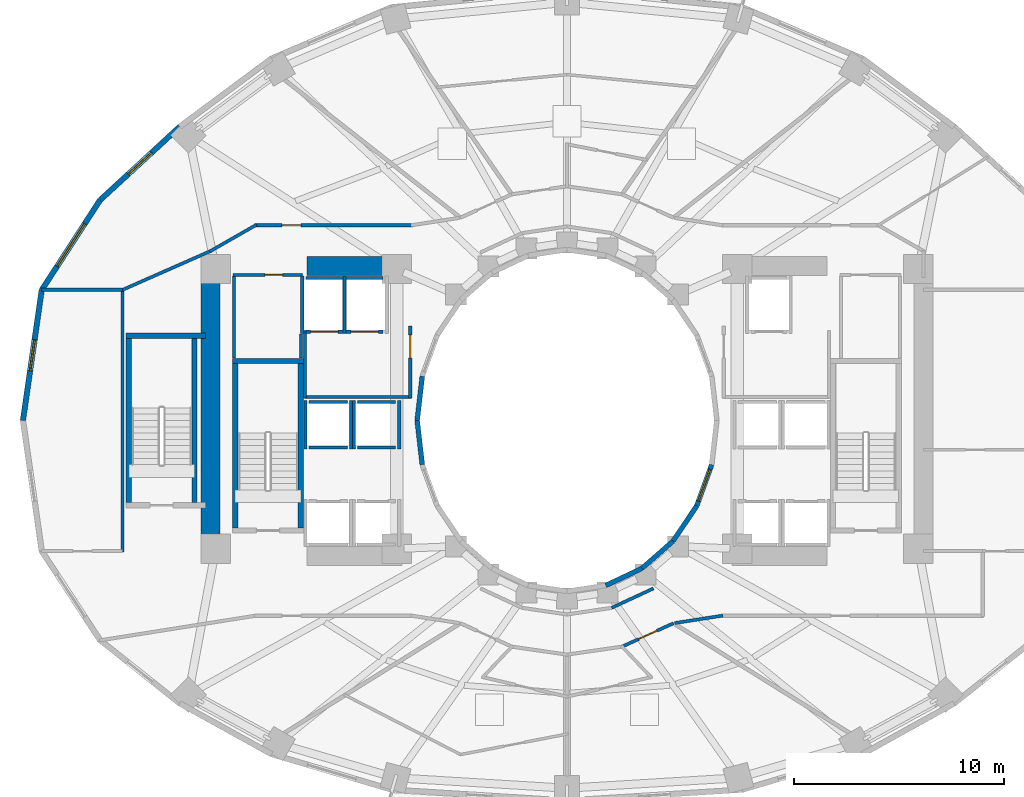
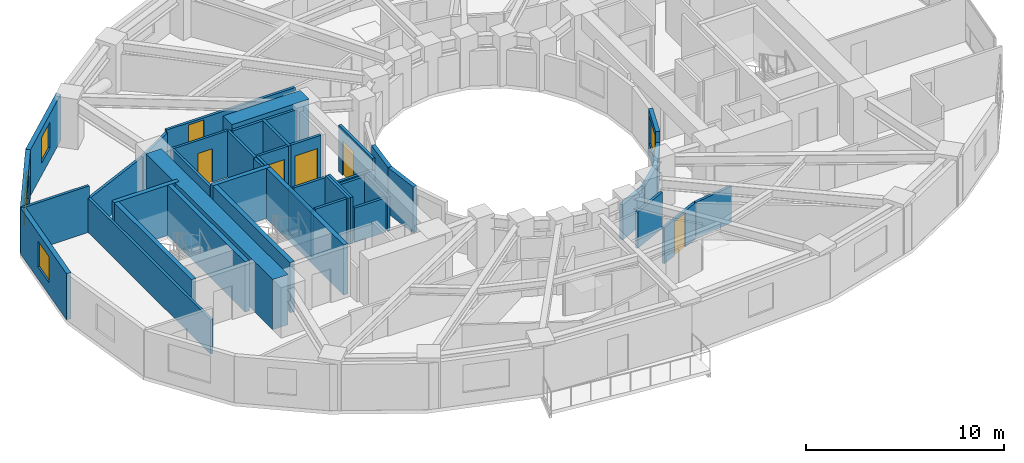
# One storey, part 8 of 14: 45 walls, 6 doors, 4 windows, 10 openings.
"""IFC4 building model written with IfcOpenShell, lengths in metres."""

from ifc_helpers import new_model, si_unit, direction, frame, frame_2d, origin, place, context, subcontext, project, spatial, rectangle, extrude, material, layer, layer_set, type_object, element, fill, save


model = new_model("IFC4")

# Units and contexts
model_context = context("Model", 3, precision=1e-05, world=origin(), true_north=direction((0.0, 1.0)))
body_context = subcontext(model_context, "Body", "Model", "MODEL_VIEW")
ifc_project = project(units=[si_unit("LENGTHUNIT", "METRE"), si_unit("AREAUNIT", "SQUARE_METRE"), si_unit("VOLUMEUNIT", "CUBIC_METRE"), si_unit("PLANEANGLEUNIT", "RADIAN"), si_unit("MASSUNIT", "GRAM", prefix="KILO")], contexts=[model_context])

# Site, building, storey
site_placement = place(None, origin())
site = spatial("IfcSite", under=ifc_project, at=site_placement, CompositionType="ELEMENT")
building_placement = place(site_placement, origin())
building = spatial("IfcBuilding", under=site, at=building_placement, Name="Solvane Sanctuary Tower", CompositionType="ELEMENT")
storey_placement = place(building_placement, frame((0.0, 0.0, 40.0)))
storey = spatial("IfcBuildingStorey", under=building, at=storey_placement, Name="L11", CompositionType="ELEMENT", Elevation=40.0)

# Walls
ifc_material_1 = material(Name="Concrete C70/85", Category="concrete")
ifc_layer_1 = layer(ifc_material_1, 0.89990234375, Name="Concrete C70/85")
ifc_layer_set_1 = layer_set([ifc_layer_1], Name="Concrete C70/85")
wall_type_1 = type_object("IfcWallType", Name="Wall W-CORE-900", PredefinedType="SHEAR", material=ifc_layer_set_1)
wall_1_placement = place(storey_placement, frame((15.050048828125, 17.050048828125, 0.0), z_axis=(0.0, 0.0, 1.0), x_axis=(0.0, 1.0, 0.0)))
element("IfcWall", 1, at=wall_1_placement, inside=storey, type_object=wall_type_1, Name="L11 Core Shear Wall WC-W", PredefinedType="SHEAR", context=body_context, shape_type="SweptSolid", body=[
    extrude(rectangle(XDim=12.800048828125, YDim=0.89990234375, at=frame_2d((6.39990234375, 0.0))), origin(), (0.0, 0.0, 1.0), 3.10009765625),
])
wall_2_placement = place(storey_placement, frame((19.64990234375, 30.35009765625, 0.0), z_axis=(0.0, 0.0, 1.0), x_axis=(1.0, 0.0, 0.0)))
element("IfcWall", 2, at=wall_2_placement, inside=storey, type_object=wall_type_1, Name="L11 Core Shear Wall WC-N", PredefinedType="SHEAR", context=body_context, shape_type="SweptSolid", body=[
    extrude(rectangle(XDim=4.5, YDim=0.89990234375, at=frame_2d((2.25, 0.0))), origin(), (0.0, 0.0, 1.0), 3.10009765625),
])
ifc_material_2 = material(Name="Acoustic Gypsum Partition Board")
ifc_layer_2 = layer(ifc_material_2, 0.14990234375, Name="Acoustic Gypsum Partition Board")
ifc_layer_set_2 = layer_set([ifc_layer_2], Name="Acoustic Gypsum Partition Board")
wall_type_2 = type_object("IfcWallType", Name="Wall W-CORR-150", PredefinedType="PARTITIONING", material=ifc_layer_set_2)
wall_3_placement = place(storey_placement, frame((19.52001953125, 24.1201171875, 0.0), z_axis=(0.0, 0.0, 1.0), x_axis=(1.0, 0.0, 0.0)))
element("IfcWall", 3, at=wall_3_placement, inside=storey, type_object=wall_type_2, Name="L11 West Firefighting Lobby South Wall", PredefinedType="PARTITIONING", context=body_context, shape_type="SweptSolid", body=[
    extrude(rectangle(XDim=5.080078125, YDim=0.14990234375, at=frame_2d((2.5400390625, 0.0))), origin(), (0.0, 0.0, 1.0), 2.1201171875),
])
wall_4_placement = place(storey_placement, frame((19.550048828125, 24.080078125, 0.0), z_axis=(0.0, 0.0, 1.0), x_axis=(0.0, 1.0, 0.0)))
element("IfcWall", 4, at=wall_4_placement, inside=storey, type_object=wall_type_2, Name="L11 West Firefighting Lobby West Wall", PredefinedType="PARTITIONING", context=body_context, shape_type="SweptSolid", body=[
    extrude(rectangle(XDim=3.199951171875, YDim=0.14990234375, at=frame_2d((1.60009765625, 0.0))), origin(), (0.0, 0.0, 1.0), 2.85498046875),
])

# Wall, opening, door
wall_5_placement = place(storey_placement, frame((24.550048828125, 24.080078125, 0.0), z_axis=(0.0, 0.0, 1.0), x_axis=(0.0, 1.0, 0.0)))
wall_5 = element("IfcWall", 5, at=wall_5_placement, inside=storey, type_object=wall_type_2, Name="L11 West Firefighting Lobby East Wall", PredefinedType="PARTITIONING", context=body_context, shape_type="SweptSolid", body=[
    extrude(rectangle(XDim=3.39990234375, YDim=0.14990234375, at=frame_2d((1.699951171875, 0.0))), origin(), (0.0, 0.0, 1.0), 2.85498046875),
])
opening_1_placement = place(wall_5_placement, frame((1.893798828125, 0.0, 0.0)))
opening_1 = element("IfcOpeningElement", 6, at=opening_1_placement, cuts=wall_5, Name="Opening D-L11-06", PredefinedType="OPENING", context=body_context, shape_type="SweptSolid", body=[
    extrude(rectangle(XDim=1.10009765625, YDim=2.10009765625, at=frame_2d((0.550048828125, 1.050048828125))), frame((0.0, 0.0849609375, 0.0), z_axis=(0.0, -1.0, 0.0), x_axis=(1.0, 0.0, 0.0)), (0.0, 0.0, 1.0), 0.169921875),
])
ifc_material_3 = material(Name="Architectural Stainless Steel 316", Category="steel")
door_type_1 = type_object("IfcDoorType", Name="Door D-FFL", OperationType="NOTDEFINED", PredefinedType="DOOR", material=ifc_material_3)
door_1_placement = place(opening_1_placement, origin())
door_1 = element("IfcDoor", 7, at=door_1_placement, inside=storey, type_object=door_type_1, Name="L11 West Firefighting Lobby Fire Door", OperationType="SINGLE_SWING_RIGHT", OverallHeight=2.10009765625, OverallWidth=1.10009765625, PredefinedType="DOOR", context=body_context, shape_type="SweptSolid", body=[
    extrude(rectangle(XDim=1.10009765625, YDim=2.10009765625, at=frame_2d((0.550048828125, 1.050048828125))), frame((0.0, 0.02490234375, 0.0), z_axis=(0.0, -1.0, 0.0), x_axis=(1.0, 0.0, 0.0)), (0.0, 0.0, 1.0), 0.050048828125),
])
fill(opening_1, door_1)

# Walls
wall_6_placement = place(storey_placement, frame((34.12744140625, 14.09423828125, 0.0), z_axis=(0.0, 0.0, 1.0), x_axis=(0.906943449489, 0.421252393975, 0.0)))
element("IfcWall", 8, at=wall_6_placement, inside=storey, type_object=wall_type_2, Name="L11 Light-Well Corridor Rim Wall S4", PredefinedType="PARTITIONING", context=body_context, shape_type="SweptSolid", body=[
    extrude(rectangle(XDim=2.18603515625, YDim=0.14990234375, at=frame_2d((1.093017578125, 0.0))), origin(), (0.0, 0.0, 1.0), 2.237060546875),
])
wall_7_placement = place(storey_placement, frame((10.8798828125, 16.748291015625, 0.0), z_axis=(0.0, 0.0, 1.0), x_axis=(0.0, 1.0, 0.0)))
element("IfcWall", 9, at=wall_7_placement, inside=storey, type_object=wall_type_2, Name="L11 West Shoulder Back Wall", PredefinedType="PARTITIONING", context=body_context, shape_type="SweptSolid", body=[
    extrude(rectangle(XDim=12.50341796875, YDim=0.14990234375, at=frame_2d((6.251708984375, 0.0))), origin(), (0.0, 0.0, 1.0), 2.1201171875),
])
wall_8_placement = place(storey_placement, frame((7.013671875, 29.211669921875, 0.0), z_axis=(0.0, 0.0, 1.0), x_axis=(1.0, 0.0, 0.0)))
element("IfcWall", 10, at=wall_8_placement, inside=storey, type_object=wall_type_2, Name="L11 West Shoulder North Wall", PredefinedType="PARTITIONING", context=body_context, shape_type="SweptSolid", body=[
    extrude(rectangle(XDim=3.8662109375, YDim=0.14990234375, at=frame_2d((1.93310546875, 0.0))), origin(), (0.0, 0.0, 1.0), 2.85498046875),
])
wall_9_placement = place(storey_placement, frame((10.843505859375, 29.195556640625, 0.0), z_axis=(0.0, 0.0, 1.0), x_axis=(0.91502756289, 0.403391322604, 0.0)))
element("IfcWall", 11, at=wall_9_placement, inside=storey, type_object=wall_type_2, Name="L11 NW Corner Closer 1", PredefinedType="PARTITIONING", context=body_context, shape_type="SweptSolid", body=[
    extrude(rectangle(XDim=4.63720703125, YDim=0.14990234375, at=frame_2d((2.318603515625, 0.0))), origin(), (0.0, 0.0, 1.0), 2.069091796875),
])

# Wall, opening, door
wall_10_placement = place(storey_placement, frame((17.14990234375, 32.280029296875, 0.0), z_axis=(0.0, 0.0, 1.0), x_axis=(1.0, 0.0, 0.0)))
wall_10 = element("IfcWall", 12, at=wall_10_placement, inside=storey, type_object=wall_type_2, Name="L11 NW Corner Corridor Wall", PredefinedType="PARTITIONING", context=body_context, shape_type="SweptSolid", body=[
    extrude(rectangle(XDim=7.52001953125, YDim=0.14990234375, at=frame_2d((3.760009765625, 0.0))), origin(), (0.0, 0.0, 1.0), 2.237060546875),
])
opening_2_placement = place(wall_10_placement, frame((1.300048828125, 0.0, 0.0)))
opening_2 = element("IfcOpeningElement", 13, at=opening_2_placement, cuts=wall_10, Name="Opening D-L11-15", PredefinedType="OPENING", context=body_context, shape_type="SweptSolid", body=[
    extrude(rectangle(XDim=0.89990234375, YDim=2.10009765625, at=frame_2d((0.449951171875, 1.050048828125))), frame((0.0, 0.0849609375, 0.0), z_axis=(0.0, -1.0, 0.0), x_axis=(1.0, 0.0, 0.0)), (0.0, 0.0, 1.0), 0.169921875),
])
ifc_material_4 = material(Name="Engineered Tropical Hardwood", Category="wood")
door_type_2 = type_object("IfcDoorType", Name="Door D-WET-900", OperationType="NOTDEFINED", PredefinedType="DOOR", material=ifc_material_4)
door_2_placement = place(opening_2_placement, origin())
door_2 = element("IfcDoor", 14, at=door_2_placement, inside=storey, type_object=door_type_2, Name="L11 NW Corner Salon Door", OperationType="SINGLE_SWING_LEFT", OverallHeight=2.10009765625, OverallWidth=0.89990234375, PredefinedType="DOOR", context=body_context, shape_type="SweptSolid", body=[
    extrude(rectangle(XDim=0.89990234375, YDim=2.10009765625, at=frame_2d((0.449951171875, 1.050048828125))), frame((0.0, 0.02490234375, 0.0), z_axis=(0.0, -1.0, 0.0), x_axis=(1.0, 0.0, 0.0)), (0.0, 0.0, 1.0), 0.050048828125),
])
fill(opening_2, door_2)

# Walls
wall_11_placement = place(storey_placement, frame((17.243408203125, 32.3046875, 0.0), z_axis=(0.0, 0.0, 1.0), x_axis=(-0.867991349648, -0.496579315857, 0.0)))
element("IfcWall", 15, at=wall_11_placement, inside=storey, type_object=wall_type_2, Name="L11 NW Corner Wing Wall", PredefinedType="PARTITIONING", context=body_context, shape_type="SweptSolid", body=[
    extrude(rectangle(XDim=2.56689453125, YDim=0.14990234375, at=frame_2d((1.283447265625, 0.0))), origin(), (0.0, 0.0, 1.0), 2.069091796875),
])
wall_12_placement = place(storey_placement, frame((37.119384765625, 13.369384765625, 0.0), z_axis=(0.0, 0.0, 1.0), x_axis=(0.988184633586, 0.153268163508, 0.0)))
element("IfcWall", 16, at=wall_12_placement, inside=storey, type_object=wall_type_2, Name="L11 SE Corner Throat Wall", PredefinedType="PARTITIONING", context=body_context, shape_type="SweptSolid", body=[
    extrude(rectangle(XDim=2.317626953125, YDim=0.14990234375, at=frame_2d((1.15869140625, 0.0))), origin(), (0.0, 0.0, 1.0), 2.237060546875),
])

# Wall, opening, door
wall_13_placement = place(storey_placement, frame((34.614990234375, 12.247314453125, 0.0), z_axis=(0.0, 0.0, 1.0), x_axis=(0.910186679378, 0.414198272186, 0.0)))
wall_13 = element("IfcWall", 17, at=wall_13_placement, inside=storey, type_object=wall_type_2, Name="L11 Unit Corridor Wall S2", PredefinedType="PARTITIONING", context=body_context, shape_type="SweptSolid", body=[
    extrude(rectangle(XDim=2.698486328125, YDim=0.14990234375, at=frame_2d((1.34912109375, 0.0))), origin(), (0.0, 0.0, 1.0), 2.237060546875),
])
opening_3_placement = place(wall_13_placement, frame((0.874267578125, 0.0, 0.0)))
opening_3 = element("IfcOpeningElement", 18, at=opening_3_placement, cuts=wall_13, Name="Opening D-L11-27", PredefinedType="OPENING", context=body_context, shape_type="SweptSolid", body=[
    extrude(rectangle(XDim=0.949951171875, YDim=2.10009765625, at=frame_2d((0.47509765625, 1.050048828125))), frame((0.0, 0.0849609375, 0.0), z_axis=(0.0, -1.0, 0.0), x_axis=(1.0, 0.0, 0.0)), (0.0, 0.0, 1.0), 0.169921875),
])
door_type_3 = type_object("IfcDoorType", Name="Door D-ROOM-950", OperationType="NOTDEFINED", PredefinedType="DOOR", material=ifc_material_4)
door_3_placement = place(opening_3_placement, origin())
door_3 = element("IfcDoor", 19, at=door_3_placement, inside=storey, type_object=door_type_3, Name="L11 Unit Entrance Door S2", OperationType="SINGLE_SWING_LEFT", OverallHeight=2.10009765625, OverallWidth=0.949951171875, PredefinedType="DOOR", context=body_context, shape_type="SweptSolid", body=[
    extrude(rectangle(XDim=0.949951171875, YDim=2.10009765625, at=frame_2d((0.47509765625, 1.050048828125))), frame((0.0, 0.02490234375, 0.0), z_axis=(0.0, -1.0, 0.0), x_axis=(1.0, 0.0, 0.0)), (0.0, 0.0, 1.0), 0.050048828125),
])
fill(opening_3, door_3)

# Wall, opening, window
ifc_material_5 = material(Name="Precast concrete C40/50", Category="concrete")
ifc_layer_3 = layer(ifc_material_5, 0.260009765625, Name="Precast concrete C40/50")
ifc_layer_set_3 = layer_set([ifc_layer_3], Name="Precast concrete C40/50")
wall_type_3 = type_object("IfcWallType", Name="Wall W-EXT-250", PredefinedType="STANDARD", material=ifc_layer_set_3)
wall_14_placement = place(storey_placement, frame((13.595458984375, 36.964599609375, 0.0), z_axis=(0.0, 0.0, 1.0), x_axis=(-0.735655109293, -0.67735630223, 0.0)))
wall_14 = element("IfcWall", 20, at=wall_14_placement, inside=storey, type_object=wall_type_3, Name="L11 Ceramic-Printed Facade Wall 09", PredefinedType="STANDARD", context=body_context, shape_type="SweptSolid", body=[
    extrude(rectangle(XDim=5.15087890625, YDim=0.260009765625, at=frame_2d((2.575439453125, 0.0))), origin(), (0.0, 0.0, 1.0), 2.85009765625),
])
opening_4_placement = place(wall_14_placement, frame((1.825439453125, 0.0, 0.75)))
opening_4 = element("IfcOpeningElement", 21, at=opening_4_placement, cuts=wall_14, Name="Opening WN-OPER-1500", PredefinedType="OPENING", context=body_context, shape_type="SweptSolid", body=[
    extrude(rectangle(XDim=1.5, YDim=1.60009765625, at=frame_2d((0.75, 0.800048828125))), frame((0.0, 0.139892578125, 0.0), z_axis=(0.0, -1.0, 0.0), x_axis=(1.0, 0.0, 0.0)), (0.0, 0.0, 1.0), 0.280029296875),
])
ifc_material_6 = material(Name="Dark Ceramic-Fritted Low-E Glass", Category="glass")
window_type_1 = type_object("IfcWindowType", Name="Window WN-OPER-1500", PartitioningType="SINGLE_PANEL", PredefinedType="WINDOW", material=ifc_material_6)
window_1_placement = place(opening_4_placement, origin())
window_1 = element("IfcWindow", 22, at=window_1_placement, inside=storey, type_object=window_type_1, Name="L11 Operable Facade Window 09", OverallHeight=1.60009765625, OverallWidth=1.5, PartitioningType="SINGLE_PANEL", PredefinedType="WINDOW", context=body_context, shape_type="SweptSolid", body=[
    extrude(rectangle(XDim=1.5, YDim=1.60009765625, at=frame_2d((0.75, 0.800048828125))), frame((0.0, 0.030029296875, 0.0), z_axis=(0.0, -1.0, 0.0), x_axis=(1.0, 0.0, 0.0)), (0.0, 0.0, 1.0), 0.06005859375),
])
fill(opening_4, window_1)

wall_15_placement = place(storey_placement, frame((9.80615234375, 33.4755859375, 0.0), z_axis=(0.0, 0.0, 1.0), x_axis=(-0.544578722263, -0.838709732421, 0.0)))
wall_15 = element("IfcWall", 23, at=wall_15_placement, inside=storey, type_object=wall_type_3, Name="L11 Ceramic-Printed Facade Wall 10", PredefinedType="STANDARD", context=body_context, shape_type="SweptSolid", body=[
    extrude(rectangle(XDim=5.091552734375, YDim=0.260009765625, at=frame_2d((2.5458984375, 0.0))), origin(), (0.0, 0.0, 1.0), 2.85009765625),
])
opening_5_placement = place(wall_15_placement, frame((1.345703125, 0.0, 0.75)))
opening_5 = element("IfcOpeningElement", 24, at=opening_5_placement, cuts=wall_15, Name="Opening WN-RIB-2400", PredefinedType="OPENING", context=body_context, shape_type="SweptSolid", body=[
    extrude(rectangle(XDim=2.39990234375, YDim=1.699951171875, at=frame_2d((1.199951171875, 0.85009765625))), frame((0.0, 0.139892578125, 0.0), z_axis=(0.0, -1.0, 0.0), x_axis=(1.0, 0.0, 0.0)), (0.0, 0.0, 1.0), 0.280029296875),
])
window_type_2 = type_object("IfcWindowType", Name="Window WN-RIB-2400", PartitioningType="SINGLE_PANEL", PredefinedType="WINDOW", material=ifc_material_6)
window_2_placement = place(opening_5_placement, origin())
window_2 = element("IfcWindow", 25, at=window_2_placement, inside=storey, type_object=window_type_2, Name="L11 Operable Facade Window 10", OverallHeight=1.699951171875, OverallWidth=2.39990234375, PartitioningType="SINGLE_PANEL", PredefinedType="WINDOW", context=body_context, shape_type="SweptSolid", body=[
    extrude(rectangle(XDim=2.39990234375, YDim=1.699951171875, at=frame_2d((1.199951171875, 0.85009765625))), frame((0.0, 0.030029296875, 0.0), z_axis=(0.0, -1.0, 0.0), x_axis=(1.0, 0.0, 0.0)), (0.0, 0.0, 1.0), 0.06005859375),
])
fill(opening_5, window_2)

wall_16_placement = place(storey_placement, frame((7.033447265625, 29.205322265625, 0.0), z_axis=(0.0, 0.0, 1.0), x_axis=(-0.142528001686, -0.989790770181, 0.0)))
wall_16 = element("IfcWall", 26, at=wall_16_placement, inside=storey, type_object=wall_type_3, Name="L11 Ceramic-Printed Facade Wall 11", PredefinedType="STANDARD", context=body_context, shape_type="SweptSolid", body=[
    extrude(rectangle(XDim=6.269287109375, YDim=0.260009765625, at=frame_2d((3.134765625, 0.0))), origin(), (0.0, 0.0, 1.0), 2.85009765625),
])
opening_6_placement = place(wall_16_placement, frame((2.384521484375, 0.0, 0.75)))
opening_6 = element("IfcOpeningElement", 27, at=opening_6_placement, cuts=wall_16, Name="Opening WN-OPER-1500", PredefinedType="OPENING", context=body_context, shape_type="SweptSolid", body=[
    extrude(rectangle(XDim=1.5, YDim=1.60009765625, at=frame_2d((0.75, 0.800048828125))), frame((0.0, 0.139892578125, 0.0), z_axis=(0.0, -1.0, 0.0), x_axis=(1.0, 0.0, 0.0)), (0.0, 0.0, 1.0), 0.280029296875),
])
window_3_placement = place(opening_6_placement, origin())
window_3 = element("IfcWindow", 28, at=window_3_placement, inside=storey, type_object=window_type_1, Name="L11 Operable Facade Window 11", OverallHeight=1.60009765625, OverallWidth=1.5, PartitioningType="SINGLE_PANEL", PredefinedType="WINDOW", context=body_context, shape_type="SweptSolid", body=[
    extrude(rectangle(XDim=1.5, YDim=1.60009765625, at=frame_2d((0.75, 0.800048828125))), frame((0.0, 0.030029296875, 0.0), z_axis=(0.0, -1.0, 0.0), x_axis=(1.0, 0.0, 0.0)), (0.0, 0.0, 1.0), 0.06005859375),
])
fill(opening_6, window_3)

# Walls
ifc_layer_4 = layer(ifc_material_5, 0.22998046875, Name="Precast concrete C40/50")
ifc_layer_set_4 = layer_set([ifc_layer_4], Name="Precast concrete C40/50")
wall_type_4 = type_object("IfcWallType", Name="Wall W-EXT-SP220", PredefinedType="STANDARD", material=ifc_layer_set_4)
for number, where, z_axis, x_axis, name in (
    (29, (25.12255859375, 25.1015625, 0.0), (0.0, 0.0, 1.0), (-0.114711713601, -0.993398823617, 0.0), "L11 Central Light-Well Wall 11"),
    (30, (24.8798828125, 23.0, 0.0), (0.0, 0.0, 1.0), (0.114711713601, -0.993398823617, 0.0), "L11 Central Light-Well Wall 12"),
):
    element("IfcWall", number, at=place(storey_placement, frame(where, z_axis=z_axis, x_axis=x_axis)), inside=storey, type_object=wall_type_4, Name=name, PredefinedType="STANDARD", context=body_context, shape_type="SweptSolid", body=[
        extrude(rectangle(XDim=2.115478515625, YDim=0.22998046875, at=frame_2d((1.0576171875, 0.0))), origin(), (0.0, 0.0, 1.0), 2.840087890625),
    ])
wall_17_placement = place(storey_placement, frame((33.8427734375, 15.15673828125, 0.0), z_axis=(0.0, 0.0, 1.0), x_axis=(0.904179699603, 0.427152280606, 0.0)))
element("IfcWall", 31, at=wall_17_placement, inside=storey, type_object=wall_type_4, Name="L11 Central Light-Well Wall 19", PredefinedType="STANDARD", context=body_context, shape_type="SweptSolid", body=[
    extrude(rectangle(XDim=1.899169921875, YDim=0.22998046875, at=frame_2d((0.94970703125, 0.0))), origin(), (0.0, 0.0, 1.0), 2.159912109375),
])
wall_18_placement = place(storey_placement, frame((35.56005859375, 15.968017578125, 0.0), z_axis=(0.0, 0.0, 1.0), x_axis=(0.752576694707, 0.658504607869, 0.0)))
element("IfcWall", 32, at=wall_18_placement, inside=storey, type_object=wall_type_4, Name="L11 Central Light-Well Wall 20", PredefinedType="STANDARD", context=body_context, shape_type="SweptSolid", body=[
    extrude(rectangle(XDim=1.95947265625, YDim=0.22998046875, at=frame_2d((0.979736328125, 0.0))), origin(), (0.0, 0.0, 1.0), 2.159912109375),
])
wall_19_placement = place(storey_placement, frame((37.03466796875, 17.25830078125, 0.0), z_axis=(0.0, 0.0, 1.0), x_axis=(0.558197800898, 0.829707909492, 0.0)))
element("IfcWall", 33, at=wall_19_placement, inside=storey, type_object=wall_type_4, Name="L11 Central Light-Well Wall 21", PredefinedType="STANDARD", context=body_context, shape_type="SweptSolid", body=[
    extrude(rectangle(XDim=2.02685546875, YDim=0.22998046875, at=frame_2d((1.013427734375, 0.0))), origin(), (0.0, 0.0, 1.0), 2.159912109375),
])

# Wall, opening, window
wall_20_placement = place(storey_placement, frame((38.166015625, 18.93994140625, 0.0), z_axis=(0.0, 0.0, 1.0), x_axis=(0.341423187295, 0.93990968033, 0.0)))
wall_20 = element("IfcWall", 34, at=wall_20_placement, inside=storey, type_object=wall_type_4, Name="L11 Central Light-Well Wall 22", PredefinedType="STANDARD", context=body_context, shape_type="SweptSolid", body=[
    extrude(rectangle(XDim=2.083740234375, YDim=0.22998046875, at=frame_2d((1.0419921875, 0.0))), origin(), (0.0, 0.0, 1.0), 2.840087890625),
])
opening_7_placement = place(wall_20_placement, frame((0.24169921875, 0.0, 0.85009765625)))
opening_7 = element("IfcOpeningElement", 35, at=opening_7_placement, cuts=wall_20, Name="Opening WN-WELL-1600", PredefinedType="OPENING", context=body_context, shape_type="SweptSolid", body=[
    extrude(rectangle(XDim=1.60009765625, YDim=1.64990234375, at=frame_2d((0.800048828125, 0.824951171875))), frame((0.0, 0.125, 0.0), z_axis=(0.0, -1.0, 0.0), x_axis=(1.0, 0.0, 0.0)), (0.0, 0.0, 1.0), 0.25),
])
ifc_material_7 = material(Name="Clear Laminated Light-Well Glass", Category="glass")
window_type_3 = type_object("IfcWindowType", Name="Window WN-WELL-1600", PartitioningType="SINGLE_PANEL", PredefinedType="WINDOW", material=ifc_material_7)
window_4_placement = place(opening_7_placement, origin())
window_4 = element("IfcWindow", 36, at=window_4_placement, inside=storey, type_object=window_type_3, Name="L11 Light-Well Daylight Window 22", OverallHeight=1.64990234375, OverallWidth=1.60009765625, PartitioningType="SINGLE_PANEL", PredefinedType="WINDOW", context=body_context, shape_type="SweptSolid", body=[
    extrude(rectangle(XDim=1.60009765625, YDim=1.64990234375, at=frame_2d((0.800048828125, 0.824951171875))), frame((0.0, 0.030029296875, 0.0), z_axis=(0.0, -1.0, 0.0), x_axis=(1.0, 0.0, 0.0)), (0.0, 0.0, 1.0), 0.06005859375),
])
fill(opening_7, window_4)

# Walls
ifc_material_8 = material(Name="Concrete C50/60", Category="concrete")
ifc_layer_5 = layer(ifc_material_8, 0.14990234375, Name="Concrete C50/60")
ifc_layer_set_5 = layer_set([ifc_layer_5], Name="Concrete C50/60")
wall_type_5 = type_object("IfcWallType", Name="Wall W-SHAFT-150", PredefinedType="SOLIDWALL", material=ifc_layer_set_5)
for number, where, z_axis, x_axis, name in (
    (37, (19.739990234375, 21.719970703125, 0.0), (0.0, 0.0, 1.0), (1.0, 0.0, 0.0), "L11 PM-1 Lift Shaft Wall F"),
    (38, (19.739990234375, 23.8798828125, 0.0), (0.0, 0.0, 1.0), (1.0, 0.0, 0.0), "L11 PM-1 Lift Shaft Wall B"),
):
    element("IfcWall", number, at=place(storey_placement, frame(where, z_axis=z_axis, x_axis=x_axis)), inside=storey, type_object=wall_type_5, Name=name, PredefinedType="SOLIDWALL", context=body_context, shape_type="SweptSolid", body=[
        extrude(rectangle(XDim=1.820068359375, YDim=0.14990234375, at=frame_2d((0.91015625, 0.0))), origin(), (0.0, 0.0, 1.0), 2.85498046875),
    ])
for number, where, z_axis, x_axis, name in (
    (39, (19.570068359375, 21.639892578125, 0.0), (0.0, 0.0, 1.0), (0.0, 1.0, 0.0), "L11 PM-1 Lift Shaft Wall S1"),
    (40, (21.72998046875, 21.639892578125, 0.0), (0.0, 0.0, 1.0), (0.0, 1.0, 0.0), "L11 PM-1 Lift Shaft Wall S2"),
):
    element("IfcWall", number, at=place(storey_placement, frame(where, z_axis=z_axis, x_axis=x_axis)), inside=storey, type_object=wall_type_5, Name=name, PredefinedType="SOLIDWALL", context=body_context, shape_type="SweptSolid", body=[
        extrude(rectangle(XDim=2.320068359375, YDim=0.14990234375, at=frame_2d((1.16015625, 0.0))), origin(), (0.0, 0.0, 1.0), 2.85498046875),
    ])
for number, where, z_axis, x_axis, name in (
    (41, (22.0400390625, 21.719970703125, 0.0), (0.0, 0.0, 1.0), (1.0, 0.0, 0.0), "L11 PH-1 Lift Shaft Wall F"),
    (42, (22.0400390625, 23.8798828125, 0.0), (0.0, 0.0, 1.0), (1.0, 0.0, 0.0), "L11 PH-1 Lift Shaft Wall B"),
):
    element("IfcWall", number, at=place(storey_placement, frame(where, z_axis=z_axis, x_axis=x_axis)), inside=storey, type_object=wall_type_5, Name=name, PredefinedType="SOLIDWALL", context=body_context, shape_type="SweptSolid", body=[
        extrude(rectangle(XDim=1.820068359375, YDim=0.14990234375, at=frame_2d((0.91015625, 0.0))), origin(), (0.0, 0.0, 1.0), 2.1201171875),
    ])
wall_21_placement = place(storey_placement, frame((21.8701171875, 21.639892578125, 0.0), z_axis=(0.0, 0.0, 1.0), x_axis=(0.0, 1.0, 0.0)))
element("IfcWall", 43, at=wall_21_placement, inside=storey, type_object=wall_type_5, Name="L11 PH-1 Lift Shaft Wall S1", PredefinedType="SOLIDWALL", context=body_context, shape_type="SweptSolid", body=[
    extrude(rectangle(XDim=2.320068359375, YDim=0.14990234375, at=frame_2d((1.16015625, 0.0))), origin(), (0.0, 0.0, 1.0), 2.85498046875),
])
wall_22_placement = place(storey_placement, frame((24.030029296875, 21.639892578125, 0.0), z_axis=(0.0, 0.0, 1.0), x_axis=(0.0, 1.0, 0.0)))
element("IfcWall", 44, at=wall_22_placement, inside=storey, type_object=wall_type_5, Name="L11 PH-1 Lift Shaft Wall S2", PredefinedType="SOLIDWALL", context=body_context, shape_type="SweptSolid", body=[
    extrude(rectangle(XDim=2.320068359375, YDim=0.14990234375, at=frame_2d((1.16015625, 0.0))), origin(), (0.0, 0.0, 1.0), 2.1201171875),
])

# Wall, opening, door
wall_23_placement = place(storey_placement, frame((19.590087890625, 27.219970703125, 0.0), z_axis=(0.0, 0.0, 1.0), x_axis=(1.0, 0.0, 0.0)))
wall_23 = element("IfcWall", 45, at=wall_23_placement, inside=storey, type_object=wall_type_5, Name="L11 FFL-1 Lift Shaft Wall F", PredefinedType="SOLIDWALL", context=body_context, shape_type="SweptSolid", body=[
    extrude(rectangle(XDim=1.760009765625, YDim=0.14990234375, at=frame_2d((0.8798828125, 0.0))), origin(), (0.0, 0.0, 1.0), 2.85498046875),
])
opening_8_placement = place(wall_23_placement, frame((0.22998046875, 0.0, 0.0)))
opening_8 = element("IfcOpeningElement", 46, at=opening_8_placement, cuts=wall_23, Name="Opening LD-L11-05", PredefinedType="OPENING", context=body_context, shape_type="SweptSolid", body=[
    extrude(rectangle(XDim=1.300048828125, YDim=2.10009765625, at=frame_2d((0.64990234375, 1.050048828125))), frame((0.0, 0.0849609375, 0.0), z_axis=(0.0, -1.0, 0.0), x_axis=(1.0, 0.0, 0.0)), (0.0, 0.0, 1.0), 0.169921875),
])
door_type_4 = type_object("IfcDoorType", Name="Door LD-FFL-1300", OperationType="NOTDEFINED", PredefinedType="DOOR", material=ifc_material_3)
door_4_placement = place(opening_8_placement, origin())
door_4 = element("IfcDoor", 47, at=door_4_placement, inside=storey, type_object=door_type_4, Name="L11 FFL-1 Lift Landing Door", OperationType="DOUBLE_DOOR_SLIDING", OverallHeight=2.10009765625, OverallWidth=1.300048828125, PredefinedType="DOOR", context=body_context, shape_type="SweptSolid", body=[
    extrude(rectangle(XDim=1.300048828125, YDim=2.10009765625, at=frame_2d((0.64990234375, 1.050048828125))), frame((0.0, 0.02490234375, 0.0), z_axis=(0.0, -1.0, 0.0), x_axis=(1.0, 0.0, 0.0)), (0.0, 0.0, 1.0), 0.050048828125),
])
fill(opening_8, door_4)

# Walls
wall_24_placement = place(storey_placement, frame((19.590087890625, 29.780029296875, 0.0), z_axis=(0.0, 0.0, 1.0), x_axis=(1.0, 0.0, 0.0)))
element("IfcWall", 48, at=wall_24_placement, inside=storey, type_object=wall_type_5, Name="L11 FFL-1 Lift Shaft Wall B", PredefinedType="SOLIDWALL", context=body_context, shape_type="SweptSolid", body=[
    extrude(rectangle(XDim=1.760009765625, YDim=0.14990234375, at=frame_2d((0.8798828125, 0.0))), origin(), (0.0, 0.0, 1.0), 2.85498046875),
])
for number, where, z_axis, x_axis, name in (
    (49, (19.419921875, 27.139892578125, 0.0), (0.0, 0.0, 1.0), (0.0, 1.0, 0.0), "L11 FFL-1 Lift Shaft Wall S1"),
    (50, (21.425048828125, 27.139892578125, 0.0), (0.0, 0.0, 1.0), (0.0, 1.0, 0.0), "L11 FFL-1 Lift Shaft Wall S2"),
):
    element("IfcWall", number, at=place(storey_placement, frame(where, z_axis=z_axis, x_axis=x_axis)), inside=storey, type_object=wall_type_5, Name=name, PredefinedType="SOLIDWALL", context=body_context, shape_type="SweptSolid", body=[
        extrude(rectangle(XDim=2.72021484375, YDim=0.14990234375, at=frame_2d((1.360107421875, 0.0))), origin(), (0.0, 0.0, 1.0), 2.85498046875),
    ])

# Wall, opening, door
wall_25_placement = place(storey_placement, frame((21.5, 27.219970703125, 0.0), z_axis=(0.0, 0.0, 1.0), x_axis=(1.0, 0.0, 0.0)))
wall_25 = element("IfcWall", 51, at=wall_25_placement, inside=storey, type_object=wall_type_5, Name="L11 SVL-1 Lift Shaft Wall F", PredefinedType="SOLIDWALL", context=body_context, shape_type="SweptSolid", body=[
    extrude(rectangle(XDim=1.760009765625, YDim=0.14990234375, at=frame_2d((0.8798828125, 0.0))), origin(), (0.0, 0.0, 1.0), 2.85498046875),
])
opening_9_placement = place(wall_25_placement, frame((0.22998046875, 0.0, 0.0)))
opening_9 = element("IfcOpeningElement", 52, at=opening_9_placement, cuts=wall_25, Name="Opening LD-L11-06", PredefinedType="OPENING", context=body_context, shape_type="SweptSolid", body=[
    extrude(rectangle(XDim=1.300048828125, YDim=2.10009765625, at=frame_2d((0.64990234375, 1.050048828125))), frame((0.0, 0.0849609375, 0.0), z_axis=(0.0, -1.0, 0.0), x_axis=(1.0, 0.0, 0.0)), (0.0, 0.0, 1.0), 0.169921875),
])
door_5_placement = place(opening_9_placement, origin())
door_5 = element("IfcDoor", 53, at=door_5_placement, inside=storey, type_object=door_type_4, Name="L11 SVL-1 Lift Landing Door", OperationType="DOUBLE_DOOR_SLIDING", OverallHeight=2.10009765625, OverallWidth=1.300048828125, PredefinedType="DOOR", context=body_context, shape_type="SweptSolid", body=[
    extrude(rectangle(XDim=1.300048828125, YDim=2.10009765625, at=frame_2d((0.64990234375, 1.050048828125))), frame((0.0, 0.02490234375, 0.0), z_axis=(0.0, -1.0, 0.0), x_axis=(1.0, 0.0, 0.0)), (0.0, 0.0, 1.0), 0.050048828125),
])
fill(opening_9, door_5)

# Walls
wall_26_placement = place(storey_placement, frame((21.5, 29.780029296875, 0.0), z_axis=(0.0, 0.0, 1.0), x_axis=(1.0, 0.0, 0.0)))
element("IfcWall", 54, at=wall_26_placement, inside=storey, type_object=wall_type_5, Name="L11 SVL-1 Lift Shaft Wall B", PredefinedType="SOLIDWALL", context=body_context, shape_type="SweptSolid", body=[
    extrude(rectangle(XDim=1.760009765625, YDim=0.14990234375, at=frame_2d((0.8798828125, 0.0))), origin(), (0.0, 0.0, 1.0), 2.85498046875),
])
ifc_layer_6 = layer(ifc_material_8, 0.25, Name="Concrete C50/60")
ifc_layer_set_6 = layer_set([ifc_layer_6], Name="Concrete C50/60")
wall_type_6 = type_object("IfcWallType", Name="Wall W-SHAFT-250", PredefinedType="SOLIDWALL", material=ifc_layer_set_6)
wall_27_placement = place(storey_placement, frame((16.10498046875, 25.830078125, 0.0), z_axis=(0.0, 0.0, 1.0), x_axis=(1.0, 0.0, 0.0)))
element("IfcWall", 55, at=wall_27_placement, inside=storey, type_object=wall_type_6, Name="L11 ST-1 Load-Bearing Shaft Wall N", PredefinedType="SOLIDWALL", context=body_context, shape_type="SweptSolid", body=[
    extrude(rectangle(XDim=3.3701171875, YDim=0.25, at=frame_2d((1.68505859375, 0.0))), origin(), (0.0, 0.0, 1.0), 3.10009765625),
])
for number, where, z_axis, x_axis, name in (
    (56, (16.22998046875, 17.89501953125, 0.0), (0.0, 0.0, 1.0), (0.0, 1.0, 0.0), "L11 ST-1 Load-Bearing Shaft Wall W"),
    (57, (19.35009765625, 17.89501953125, 0.0), (0.0, 0.0, 1.0), (0.0, 1.0, 0.0), "L11 ST-1 Load-Bearing Shaft Wall E"),
):
    element("IfcWall", number, at=place(storey_placement, frame(where, z_axis=z_axis, x_axis=x_axis)), inside=storey, type_object=wall_type_6, Name=name, PredefinedType="SOLIDWALL", context=body_context, shape_type="SweptSolid", body=[
        extrude(rectangle(XDim=7.81005859375, YDim=0.25, at=frame_2d((3.905029296875, 0.0))), origin(), (0.0, 0.0, 1.0), 3.10009765625),
    ])
wall_28_placement = place(storey_placement, frame((11.044921875, 27.030029296875, 0.0), z_axis=(0.0, 0.0, 1.0), x_axis=(1.0, 0.0, 0.0)))
element("IfcWall", 58, at=wall_28_placement, inside=storey, type_object=wall_type_6, Name="L11 ST-3 Load-Bearing Shaft Wall N", PredefinedType="SOLIDWALL", context=body_context, shape_type="SweptSolid", body=[
    extrude(rectangle(XDim=3.781982421875, YDim=0.25, at=frame_2d((1.89111328125, 0.0))), origin(), (0.0, 0.0, 1.0), 3.10009765625),
])
for number, where, z_axis, x_axis, name in (
    (59, (11.169921875, 19.094970703125, 0.0), (0.0, 0.0, 1.0), (0.0, 1.0, 0.0), "L11 ST-3 Load-Bearing Shaft Wall W"),
    (60, (14.2900390625, 19.094970703125, 0.0), (0.0, 0.0, 1.0), (0.0, 1.0, 0.0), "L11 ST-3 Load-Bearing Shaft Wall E"),
):
    element("IfcWall", number, at=place(storey_placement, frame(where, z_axis=z_axis, x_axis=x_axis)), inside=storey, type_object=wall_type_6, Name=name, PredefinedType="SOLIDWALL", context=body_context, shape_type="SweptSolid", body=[
        extrude(rectangle(XDim=7.81005859375, YDim=0.25, at=frame_2d((3.905029296875, 0.0))), origin(), (0.0, 0.0, 1.0), 3.10009765625),
    ])

# Wall, opening, door
ifc_layer_7 = layer(ifc_material_2, 0.139892578125, Name="Acoustic Gypsum Partition Board")
ifc_layer_set_7 = layer_set([ifc_layer_7], Name="Acoustic Gypsum Partition Board")
wall_type_7 = type_object("IfcWallType", Name="Wall W-WET-140", PredefinedType="PLUMBINGWALL", material=ifc_layer_set_7)
wall_29_placement = place(storey_placement, frame((16.1201171875, 29.919921875, 0.0), z_axis=(0.0, 0.0, 1.0), x_axis=(1.0, 0.0, 0.0)))
wall_29 = element("IfcWall", 61, at=wall_29_placement, inside=storey, type_object=wall_type_7, Name="L11 Core Service Front Wall KW0", PredefinedType="PLUMBINGWALL", context=body_context, shape_type="SweptSolid", body=[
    extrude(rectangle(XDim=3.2998046875, YDim=0.139892578125, at=frame_2d((1.64990234375, 0.0))), origin(), (0.0, 0.0, 1.0), 2.85498046875),
])
opening_10_placement = place(wall_29_placement, frame((1.515869140625, 0.0, 0.0)))
opening_10 = element("IfcOpeningElement", 62, at=opening_10_placement, cuts=wall_29, Name="Opening D-L11-08", PredefinedType="OPENING", context=body_context, shape_type="SweptSolid", body=[
    extrude(rectangle(XDim=0.85009765625, YDim=2.050048828125, at=frame_2d((0.425048828125, 1.02490234375))), frame((0.0, 0.079833984375, 0.0), z_axis=(0.0, -1.0, 0.0), x_axis=(1.0, 0.0, 0.0)), (0.0, 0.0, 1.0), 0.159912109375),
])
door_type_5 = type_object("IfcDoorType", Name="Door D-RISER", OperationType="NOTDEFINED", PredefinedType="DOOR", material=ifc_material_3)
door_6_placement = place(opening_10_placement, origin())
door_6 = element("IfcDoor", 63, at=door_6_placement, inside=storey, type_object=door_type_5, Name="L11 Core Service Room Door KW0-1", OperationType="SINGLE_SWING_RIGHT", OverallHeight=2.050048828125, OverallWidth=0.85009765625, PredefinedType="DOOR", context=body_context, shape_type="SweptSolid", body=[
    extrude(rectangle(XDim=0.85009765625, YDim=2.050048828125, at=frame_2d((0.425048828125, 1.02490234375))), frame((0.0, 0.02490234375, 0.0), z_axis=(0.0, -1.0, 0.0), x_axis=(1.0, 0.0, 0.0)), (0.0, 0.0, 1.0), 0.050048828125),
])
fill(opening_10, door_6)

# Walls
wall_30_placement = place(storey_placement, frame((16.179931640625, 25.97998046875, 0.0), z_axis=(0.0, 0.0, 1.0), x_axis=(0.0, 1.0, 0.0)))
element("IfcWall", 64, at=wall_30_placement, inside=storey, type_object=wall_type_7, Name="L11 Core Service Side Wall KW0-1", PredefinedType="PLUMBINGWALL", context=body_context, shape_type="SweptSolid", body=[
    extrude(rectangle(XDim=3.880126953125, YDim=0.139892578125, at=frame_2d((1.93994140625, 0.0))), origin(), (0.0, 0.0, 1.0), 2.85498046875),
])
wall_31_placement = place(storey_placement, frame((19.360107421875, 25.97998046875, 0.0), z_axis=(0.0, 0.0, 1.0), x_axis=(0.0, 1.0, 0.0)))
element("IfcWall", 65, at=wall_31_placement, inside=storey, type_object=wall_type_7, Name="L11 Core Service Side Wall KW0-2", PredefinedType="PLUMBINGWALL", context=body_context, shape_type="SweptSolid", body=[
    extrude(rectangle(XDim=1.1201171875, YDim=0.139892578125, at=frame_2d((0.56005859375, 0.0))), origin(), (0.0, 0.0, 1.0), 2.85498046875),
])

save(model, "model.ifc")
